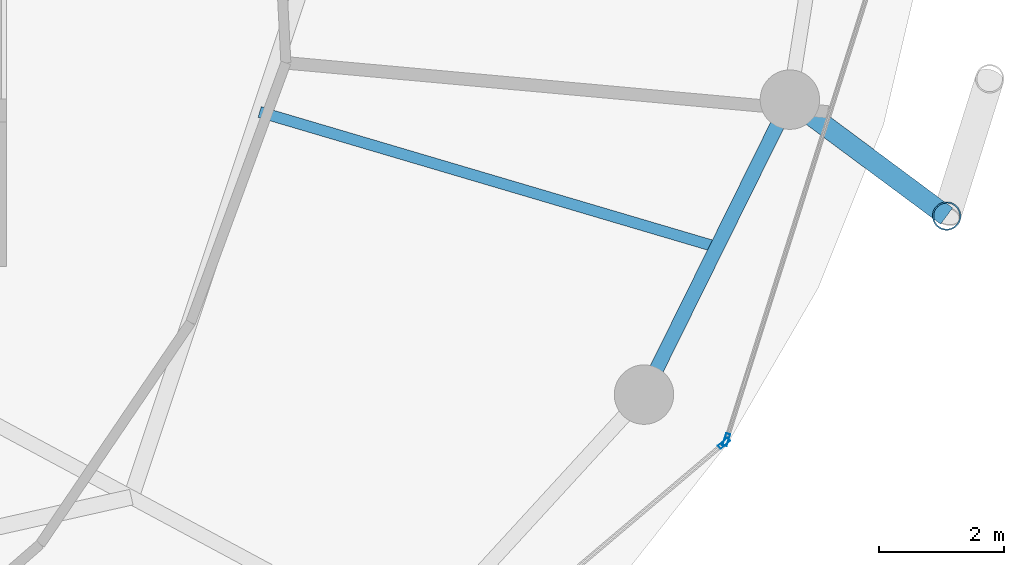
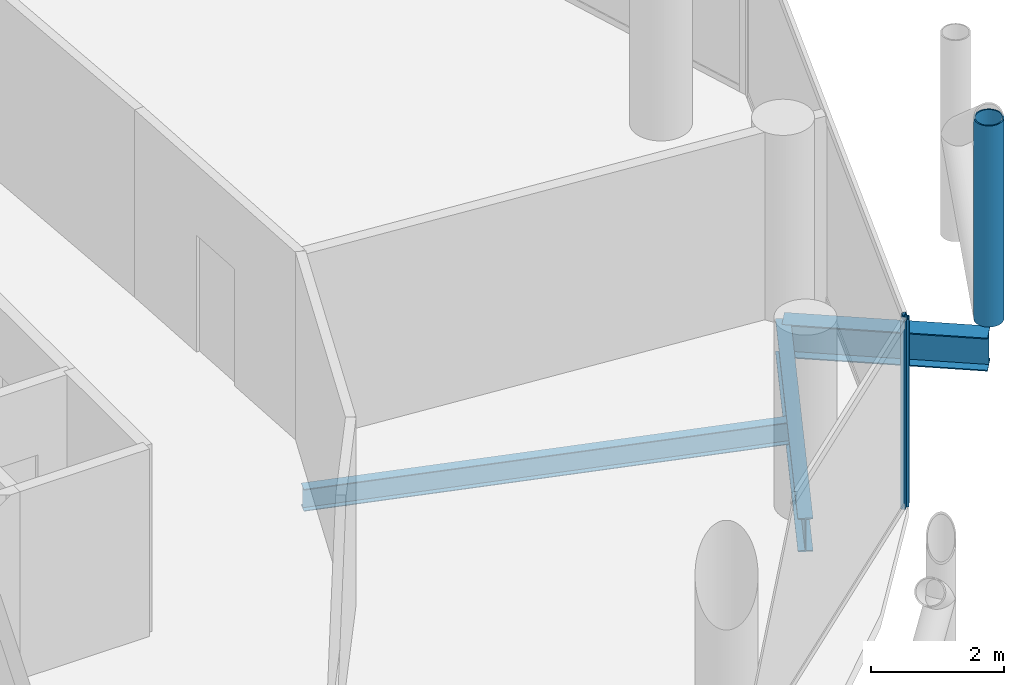
# One storey, part 10 of 26: 3 beams, 3 members, 2 elements without a shape of their own.
"""IFC4 building model written with IfcOpenShell, lengths in metres."""

from ifc_helpers import new_model, si_unit, direction, frame, origin, origin_2d, place, context, subcontext, project, spatial, hollow_rectangle, hollow_circle, i_section, extrude, material, layer, layer_set, material_profile, profile_set, type_object, element, aggregate, save


model = new_model("IFC4")

# Units and contexts
model_context = context("Model", 3, precision=1e-05, world=origin(), true_north=direction((0.0, 1.0)))
body_context = subcontext(model_context, "Body", "Model", "MODEL_VIEW")
ifc_project = project(units=[si_unit("LENGTHUNIT", "METRE"), si_unit("AREAUNIT", "SQUARE_METRE"), si_unit("VOLUMEUNIT", "CUBIC_METRE"), si_unit("PLANEANGLEUNIT", "RADIAN"), si_unit("MASSUNIT", "GRAM", prefix="KILO")], contexts=[model_context])

# Site, building, storey
site_placement = place(None, origin())
site = spatial("IfcSite", under=ifc_project, at=site_placement, CompositionType="ELEMENT")
building_placement = place(site_placement, origin())
building = spatial("IfcBuilding", under=site, at=building_placement, Name="Nuhasar Tower", CompositionType="ELEMENT")
storey_placement = place(building_placement, frame((0.0, 0.0, 170.050048828125)))
storey = spatial("IfcBuildingStorey", under=building, at=storey_placement, Name="L41", CompositionType="ELEMENT", Elevation=170.050048828125)

# Beams
ifc_material_1 = material(Name="Steel S355", Category="steel")
ifc_material_profile_1 = material_profile(ifc_material_1, i_section(OverallWidth=0.177978515625, OverallDepth=0.406005859375, WebThickness=0.0078125, FlangeThickness=0.0126953125, at=origin_2d()), Name="W16X40")
ifc_profile_set_1 = profile_set([ifc_material_profile_1], Name="Steel S355")
beam_type_1 = type_object("IfcBeamType", Name="BM-JST-W16X40", PredefinedType="JOIST", material=ifc_profile_set_1)
beam_1_placement = place(storey_placement, frame((53.0791015625, 21.54296875, -0.453125), z_axis=(0.959000494697, -0.283404395116, 0.0), x_axis=(0.283404395116, 0.959000494697, 0.0)))
element("IfcBeam", 1, at=beam_1_placement, inside=storey, type_object=beam_type_1, Name="L41 Secondary Floor Joist 03", PredefinedType="JOIST", context=body_context, shape_type="SweptSolid", body=[
    extrude(i_section(OverallWidth=0.177978515625, OverallDepth=0.406005859375, WebThickness=0.0078125, FlangeThickness=0.0126953125, at=origin_2d()), origin(), (0.0, 0.0, 1.0), 7.621337890625),
])
ifc_material_profile_2 = material_profile(ifc_material_1, i_section(OverallWidth=0.22998046875, OverallDepth=0.616943359375, WebThickness=0.01318359375, FlangeThickness=0.022216796875, at=origin_2d()), Name="W24X94")
ifc_profile_set_2 = profile_set([ifc_material_profile_2], Name="Steel S355")
beam_type_2 = type_object("IfcBeamType", Name="BM-RING-W24X94", PredefinedType="SPANDREL", material=ifc_profile_set_2)
beam_2_placement = place(storey_placement, frame((59.221923828125, 17.02490234375, -0.55810546875), z_axis=(0.443329327657, 0.896358804966, 0.0), x_axis=(-0.896358804966, 0.443329327657, 0.0)))
element("IfcBeam", 2, at=beam_2_placement, inside=storey, type_object=beam_type_2, Name="L41 Perimeter Ring Spandrel 23", PredefinedType="SPANDREL", context=body_context, shape_type="SweptSolid", body=[
    extrude(i_section(OverallWidth=0.22998046875, OverallDepth=0.616943359375, WebThickness=0.01318359375, FlangeThickness=0.022216796875, at=origin_2d()), origin(), (0.0, 0.0, 1.0), 5.26025390625),
])
ifc_material_profile_3 = material_profile(ifc_material_1, i_section(OverallWidth=0.323974609375, OverallDepth=0.611083984375, WebThickness=0.0126953125, FlangeThickness=0.01904296875, at=origin_2d()), Name="W24X104")
ifc_profile_set_3 = profile_set([ifc_material_profile_3], Name="Steel S355")
beam_type_3 = type_object("IfcBeamType", Name="BM-TIE-W24X104", PredefinedType="BEAM", material=ifc_profile_set_3)
beam_3_placement = place(storey_placement, frame((61.553955078125, 21.739990234375, -0.554931640625), z_axis=(0.80283476238, -0.596201597041, 0.0), x_axis=(0.596201597041, 0.80283476238, 0.0)))
element("IfcBeam", 3, at=beam_3_placement, inside=storey, type_object=beam_type_3, Name="L41 Exoskeleton Node Tie Beam 12", PredefinedType="BEAM", context=body_context, shape_type="SweptSolid", body=[
    extrude(i_section(OverallWidth=0.323974609375, OverallDepth=0.611083984375, WebThickness=0.0126953125, FlangeThickness=0.01904296875, at=origin_2d()), origin(), (0.0, 0.0, 1.0), 3.12158203125),
])

# Curtain wall, member
ifc_material_2 = material(Name="Aluminium 6063-T6", Category="aluminium")
ifc_layer = layer(ifc_material_2, 0.199951171875)
ifc_layer_set = layer_set([ifc_layer], Name="Aluminium 6063-T6")
curtain_wall_type = type_object("IfcCurtainWallType", Name="CW-Z2-HTL", PredefinedType="NOTDEFINED", material=ifc_layer_set)
curtain_wall_1_placement = place(storey_placement, origin())
curtain_wall_1 = element("IfcCurtainWall", 4, at=curtain_wall_1_placement, inside=storey, type_object=curtain_wall_type, Name="L41 Unitised Curtain Wall 11", PredefinedType="NOTDEFINED")
ifc_material_profile_4 = material_profile(ifc_material_2, hollow_rectangle(XDim=0.070068359375, YDim=0.199951171875, WallThickness=0.0048828125, at=origin_2d()), Name="CWM-3")
ifc_profile_set_4 = profile_set([ifc_material_profile_4], Name="Aluminium 6063-T6")
member_type_1 = type_object("IfcMemberType", Name="CW-MUL-S3", PredefinedType="MULLION", material=ifc_profile_set_4)
member_1_placement = place(storey_placement, frame((60.502197265625, 16.247314453125, 0.0), z_axis=(0.0, 0.0, 1.0), x_axis=(-0.646374438324, 0.763020370292, 0.0)))
member_1 = element("IfcMember", 5, at=member_1_placement, type_object=member_type_1, Name="CW-Z2 mullion 2", PredefinedType="MULLION", context=body_context, shape_type="SweptSolid", body=[
    extrude(hollow_rectangle(XDim=0.070068359375, YDim=0.199951171875, WallThickness=0.0048828125, at=origin_2d()), origin(), (0.0, 0.0, 1.0), 3.449951171875),
])
aggregate(curtain_wall_1, [member_1])

curtain_wall_2_placement = place(storey_placement, origin())
curtain_wall_2 = element("IfcCurtainWall", 6, at=curtain_wall_2_placement, inside=storey, type_object=curtain_wall_type, Name="L41 Unitised Curtain Wall 12", PredefinedType="NOTDEFINED")
member_2_placement = place(storey_placement, frame((60.53955078125, 16.303466796875, 0.0), z_axis=(0.0, 0.0, 1.0), x_axis=(-0.953433389233, 0.301603667577, 0.0)))
member_2 = element("IfcMember", 7, at=member_2_placement, type_object=member_type_1, Name="CW-Z2 mullion 1", PredefinedType="MULLION", context=body_context, shape_type="SweptSolid", body=[
    extrude(hollow_rectangle(XDim=0.070068359375, YDim=0.199951171875, WallThickness=0.0048828125, at=origin_2d()), origin(), (0.0, 0.0, 1.0), 3.449951171875),
])
aggregate(curtain_wall_2, [member_2])

# Member
ifc_material_3 = material(Name="Steel S460", Category="steel")
ifc_material_profile_5 = material_profile(ifc_material_3, hollow_circle(Radius=0.228515625, WallThickness=0.022216796875, at=origin_2d()), Name="HSS457X22.2")
ifc_profile_set_5 = profile_set([ifc_material_profile_5], Name="Steel S460")
member_type_2 = type_object("IfcMemberType", Name="EXO-BRONZE-457", PredefinedType="BRACE", material=ifc_profile_set_5)
member_3_placement = place(storey_placement, frame((64.06005859375, 19.87890625, 0.0), z_axis=(0.0, 0.0, 1.0), x_axis=(1.0, 0.0, 0.0)))
element("IfcMember", 8, at=member_3_placement, inside=storey, type_object=member_type_2, Name="L41 Exoskeleton Chord Column EC-12A", PredefinedType="BRACE", context=body_context, shape_type="SweptSolid", body=[
    extrude(hollow_circle(Radius=0.228515625, WallThickness=0.022216796875, at=origin_2d()), origin(), (0.0, 0.0, 1.0), 3.699951171875),
])

save(model, "model.ifc")
